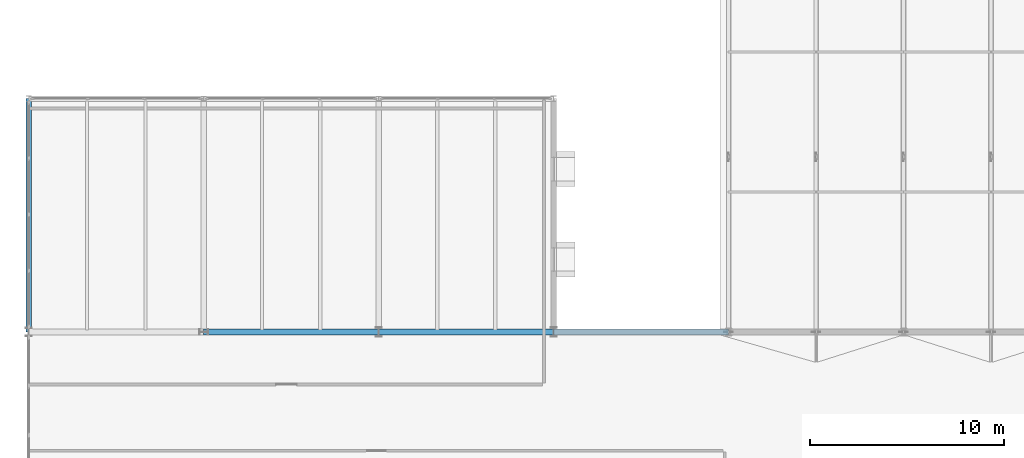
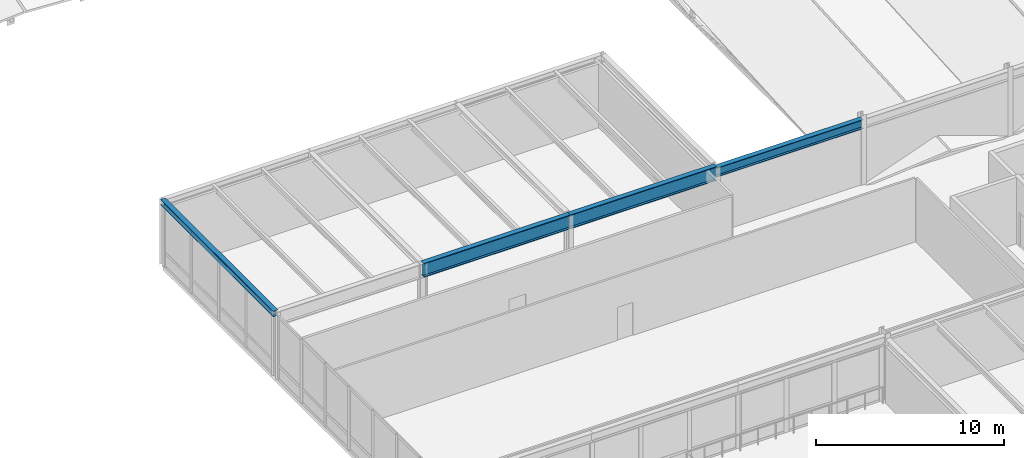
# One storey, part 17 of 142: 4 beams.
"""IFC4 building model written with IfcOpenShell, lengths in metres."""

from ifc_helpers import new_model, si_unit, direction, frame, origin, origin_2d, place, context, subcontext, project, spatial, i_section, extrude, material, material_profile, profile_set, type_object, element, save


model = new_model("IFC4")

# Units and contexts
model_context = context("Model", 3, precision=1e-05, world=origin(), true_north=direction((0.0, 1.0)))
body_context = subcontext(model_context, "Body", "Model", "MODEL_VIEW")
ifc_project = project(units=[si_unit("LENGTHUNIT", "METRE"), si_unit("AREAUNIT", "SQUARE_METRE"), si_unit("VOLUMEUNIT", "CUBIC_METRE"), si_unit("PLANEANGLEUNIT", "RADIAN"), si_unit("MASSUNIT", "GRAM", prefix="KILO")], contexts=[model_context])

# Site, building, storey
site_placement = place(None, origin())
site = spatial("IfcSite", under=ifc_project, at=site_placement, CompositionType="ELEMENT")
building_placement = place(site_placement, origin())
building = spatial("IfcBuilding", under=site, at=building_placement, Name="Montelvaro Courts of Justice", CompositionType="ELEMENT")
storey_placement = place(building_placement, frame((0.0, 0.0, 14.39990234375)))
storey = spatial("IfcBuildingStorey", under=building, at=storey_placement, Name="L03", CompositionType="ELEMENT", Elevation=14.39990234375)

# Beams
ifc_material = material(Name="Steel S355", Category="steel")
ifc_material_profile_1 = material_profile(ifc_material, i_section(OverallWidth=0.300048828125, OverallDepth=0.35009765625, WebThickness=0.010009765625, FlangeThickness=0.017578125, at=origin_2d()), Name="HEA 360")
ifc_profile_set_1 = profile_set([ifc_material_profile_1], Name="Steel S355")
beam_type_1 = type_object("IfcBeamType", Name="Beam_HEA360", PredefinedType="USERDEFINED", material=ifc_profile_set_1)
beam_1_placement = place(storey_placement, frame((18.0, 42.0, 4.125), z_axis=(0.0, 1.0, 0.0), x_axis=(-1.0, 0.0, 0.0)))
element("IfcBeam", 1, at=beam_1_placement, inside=storey, type_object=beam_type_1, Name="Beam B-16 L03", ObjectType="GIRDER", PredefinedType="USERDEFINED", context=body_context, shape_type="SweptSolid", body=[
    extrude(i_section(OverallWidth=0.300048828125, OverallDepth=0.35009765625, WebThickness=0.010009765625, FlangeThickness=0.017578125, at=origin_2d()), origin(), (0.0, 0.0, 1.0), 12.0),
])
ifc_material_profile_2 = material_profile(ifc_material, i_section(OverallWidth=0.300048828125, OverallDepth=0.60009765625, WebThickness=0.015380859375, FlangeThickness=0.030029296875, at=origin_2d()), Name="HEB 600")
ifc_profile_set_2 = profile_set([ifc_material_profile_2], Name="Steel S355")
beam_type_2 = type_object("IfcBeamType", Name="Beam_HEB600", PredefinedType="USERDEFINED", material=ifc_profile_set_2)
beam_2_placement = place(storey_placement, frame((45.0, 42.0, 3.900146484375), z_axis=(1.0, 0.0, 0.0), x_axis=(0.0, 1.0, 0.0)))
element("IfcBeam", 2, at=beam_2_placement, inside=storey, type_object=beam_type_2, Name="V3 Roof Eave Girder", ObjectType="GIRDER", PredefinedType="USERDEFINED", context=body_context, shape_type="SweptSolid", body=[
    extrude(i_section(OverallWidth=0.300048828125, OverallDepth=0.60009765625, WebThickness=0.015380859375, FlangeThickness=0.030029296875, at=origin_2d()), origin(), (0.0, 0.0, 1.0), 9.0),
])
ifc_material_profile_3 = material_profile(ifc_material, i_section(OverallWidth=0.302001953125, OverallDepth=0.909912109375, WebThickness=0.02099609375, FlangeThickness=0.0400390625, at=origin_2d()), Name="HEM 900")
ifc_profile_set_3 = profile_set([ifc_material_profile_3], Name="Steel S355")
beam_type_3 = type_object("IfcBeamType", Name="Beam_HEM900", PredefinedType="USERDEFINED", material=ifc_profile_set_3)
for number, where, z_axis, x_axis, name in (
    (3, (27.0, 42.0, 3.84521484375), (1.0, 0.0, 0.0), (0.0, 1.0, 0.0), "Beam B-31 L03"),
    (4, (36.0, 42.0, 3.84521484375), (1.0, 0.0, 0.0), (0.0, 1.0, 0.0), "Beam B-31 L03"),
):
    element("IfcBeam", number, at=place(storey_placement, frame(where, z_axis=z_axis, x_axis=x_axis)), inside=storey, type_object=beam_type_3, Name=name, ObjectType="GIRDER", PredefinedType="USERDEFINED", context=body_context, shape_type="SweptSolid", body=[
        extrude(i_section(OverallWidth=0.302001953125, OverallDepth=0.909912109375, WebThickness=0.02099609375, FlangeThickness=0.0400390625, at=origin_2d()), origin(), (0.0, 0.0, 1.0), 9.0),
    ])

save(model, "model.ifc")
